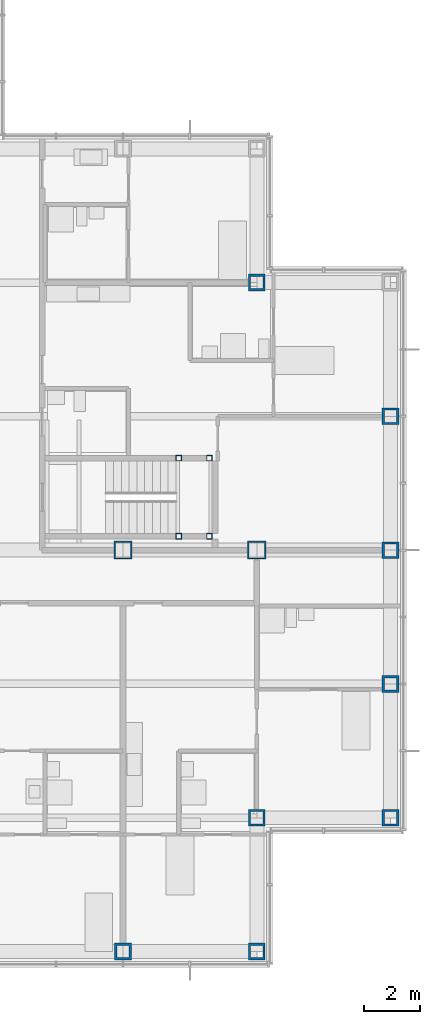
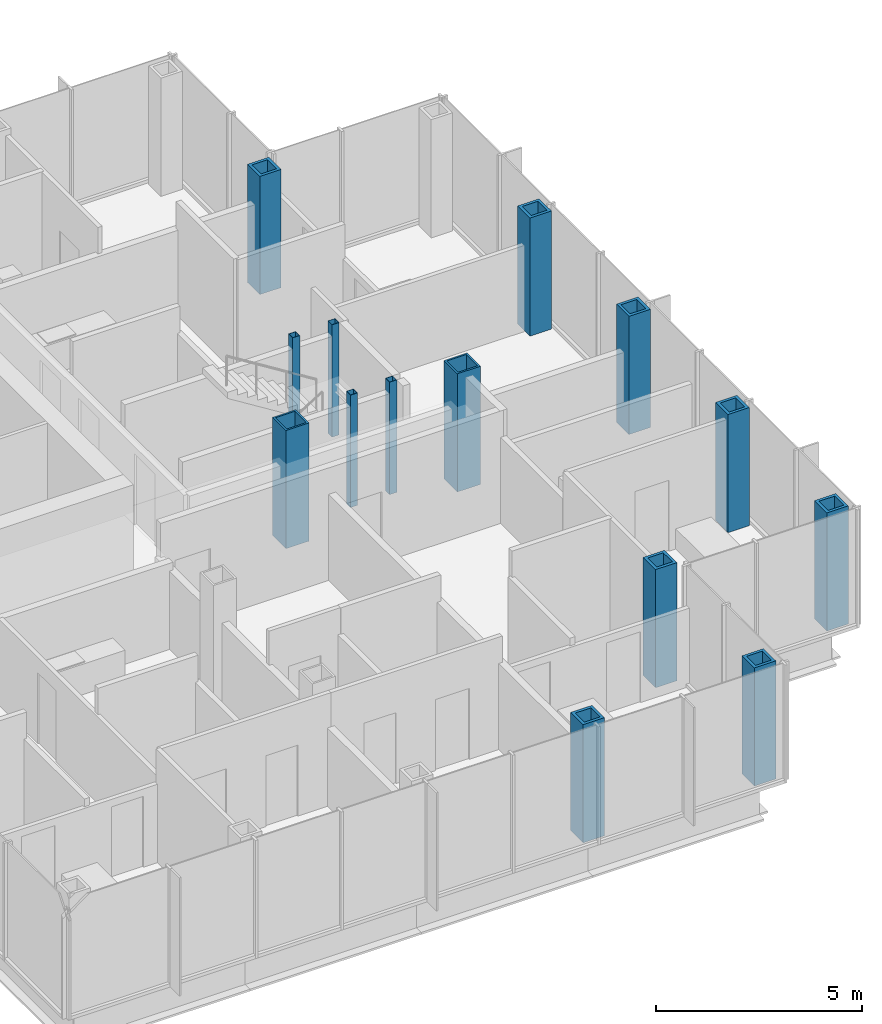
# One storey, part 4 of 20: 14 columns.
"""IFC4 building model written with IfcOpenShell, lengths in metres."""

from ifc_helpers import new_model, si_unit, direction, frame, origin, origin_2d, place, context, subcontext, project, spatial, hollow_rectangle, extrude, material, material_profile, profile_set, type_object, element, save


model = new_model("IFC4")

# Units and contexts
model_context = context("Model", 3, precision=1e-05, world=origin(), true_north=direction((0.0, 1.0)))
body_context = subcontext(model_context, "Body", "Model", "MODEL_VIEW")
ifc_project = project(units=[si_unit("LENGTHUNIT", "METRE"), si_unit("AREAUNIT", "SQUARE_METRE"), si_unit("VOLUMEUNIT", "CUBIC_METRE"), si_unit("PLANEANGLEUNIT", "RADIAN"), si_unit("MASSUNIT", "GRAM", prefix="KILO")], contexts=[model_context])

# Site, building, storey
site_placement = place(None, origin())
site = spatial("IfcSite", under=ifc_project, at=site_placement, CompositionType="ELEMENT")
building_placement = place(site_placement, origin())
building = spatial("IfcBuilding", under=site, at=building_placement, Name="Kvirike Care Tower", CompositionType="ELEMENT")
storey_placement = place(building_placement, frame((0.0, 0.0, 122.5)))
storey = spatial("IfcBuildingStorey", under=building, at=storey_placement, Name="L33", CompositionType="ELEMENT", Elevation=122.5)

# Columns
ifc_material_1 = material(Name="Steel S460", Category="steel")
ifc_material_profile_1 = material_profile(ifc_material_1, hollow_rectangle(XDim=0.60009765625, YDim=0.60009765625, WallThickness=0.080078125, at=origin_2d()), Name="BX 600x600x80")
ifc_profile_set_1 = profile_set([ifc_material_profile_1], Name="Steel S460")
column_type_1 = type_object("IfcColumnType", Name="COLUMN BX 600x600x80", PredefinedType="COLUMN", material=ifc_profile_set_1)
for number, where, z_axis, x_axis, name in (
    (1, (33.60009765625, 14.39990234375, 0.0), (0.0, 0.0, 1.0), (0.0, 1.0, 0.0), "Column D10 L33"),
    (2, (38.39990234375, 14.39990234375, 0.0), (0.0, 0.0, 1.0), (0.0, 1.0, 0.0), "Column D11 L33"),
    (3, (38.39990234375, 19.199951171875, 0.0), (0.0, 0.0, 1.0), (0.0, 1.0, 0.0), "Column E11 L33"),
    (4, (38.39990234375, 38.39990234375, 0.0), (0.0, 0.0, 1.0), (0.0, 1.0, 0.0), "Column J11 L33"),
    (5, (43.199951171875, 19.199951171875, 0.0), (0.0, 0.0, 1.0), (0.0, 1.0, 0.0), "Column E12 L33"),
    (6, (43.199951171875, 24.0, 0.0), (0.0, 0.0, 1.0), (1.0, 0.0, 0.0), "Column F12 L33"),
    (7, (43.199951171875, 28.800048828125, 0.0), (0.0, 0.0, 1.0), (0.0, 1.0, 0.0), "Column G12 L33"),
    (8, (43.199951171875, 33.60009765625, 0.0), (0.0, 0.0, 1.0), (1.0, 0.0, 0.0), "Column H12 L33"),
):
    element("IfcColumn", number, at=place(storey_placement, frame(where, z_axis=z_axis, x_axis=x_axis)), inside=storey, type_object=column_type_1, Name=name, PredefinedType="COLUMN", context=body_context, shape_type="SweptSolid", body=[
        extrude(hollow_rectangle(XDim=0.60009765625, YDim=0.60009765625, WallThickness=0.080078125, at=origin_2d()), origin(), (0.0, 0.0, 1.0), 3.5),
    ])
ifc_material_2 = material(Name="Steel S460", Category="steel")
ifc_material_profile_2 = material_profile(ifc_material_2, hollow_rectangle(XDim=0.64990234375, YDim=0.64990234375, WallThickness=0.050048828125, at=origin_2d()), Name="BX 650x650x50")
ifc_profile_set_2 = profile_set([ifc_material_profile_2], Name="Steel S460")
column_type_2 = type_object("IfcColumnType", Name="COLUMN BX 650x650x50", PredefinedType="COLUMN", material=ifc_profile_set_2)
for number, where, z_axis, x_axis, name in (
    (9, (33.60009765625, 28.800048828125, 0.0), (0.0, 0.0, 1.0), (0.0, 1.0, 0.0), "Column G10 L33"),
    (10, (38.39990234375, 28.800048828125, 0.0), (0.0, 0.0, 1.0), (0.0, 1.0, 0.0), "Column G11 L33"),
):
    element("IfcColumn", number, at=place(storey_placement, frame(where, z_axis=z_axis, x_axis=x_axis)), inside=storey, type_object=column_type_2, Name=name, PredefinedType="COLUMN", context=body_context, shape_type="SweptSolid", body=[
        extrude(hollow_rectangle(XDim=0.64990234375, YDim=0.64990234375, WallThickness=0.050048828125, at=origin_2d()), origin(), (0.0, 0.0, 1.0), 3.5),
    ])
ifc_material_3 = material(Name="Steel S460", Category="steel")
ifc_material_profile_3 = material_profile(ifc_material_3, hollow_rectangle(XDim=0.199951171875, YDim=0.199951171875, WallThickness=0.008056640625, at=origin_2d()), Name="SHS 200x200x8")
ifc_profile_set_3 = profile_set([ifc_material_profile_3], Name="Steel S460")
column_type_3 = type_object("IfcColumnType", Name="STAIR POST SHS 200x200x8", PredefinedType="COLUMN", material=ifc_profile_set_3)
for number, where, z_axis, x_axis, name in (
    (11, (36.699951171875, 29.300048828125, 0.0), (0.0, 0.0, 1.0), (1.0, 0.0, 0.0), "Stair 2 post 1 L33"),
    (12, (36.699951171875, 32.10009765625, 0.0), (0.0, 0.0, 1.0), (1.0, 0.0, 0.0), "Stair 2 post 2 L33"),
    (13, (35.60009765625, 29.300048828125, 0.0), (0.0, 0.0, 1.0), (1.0, 0.0, 0.0), "Stair 2 post 3 L33"),
    (14, (35.60009765625, 32.10009765625, 0.0), (0.0, 0.0, 1.0), (1.0, 0.0, 0.0), "Stair 2 post 4 L33"),
):
    element("IfcColumn", number, at=place(storey_placement, frame(where, z_axis=z_axis, x_axis=x_axis)), inside=storey, type_object=column_type_3, Name=name, PredefinedType="COLUMN", context=body_context, shape_type="SweptSolid", body=[
        extrude(hollow_rectangle(XDim=0.199951171875, YDim=0.199951171875, WallThickness=0.008056640625, at=origin_2d()), origin(), (0.0, 0.0, 1.0), 3.330078125),
    ])

save(model, "model.ifc")
